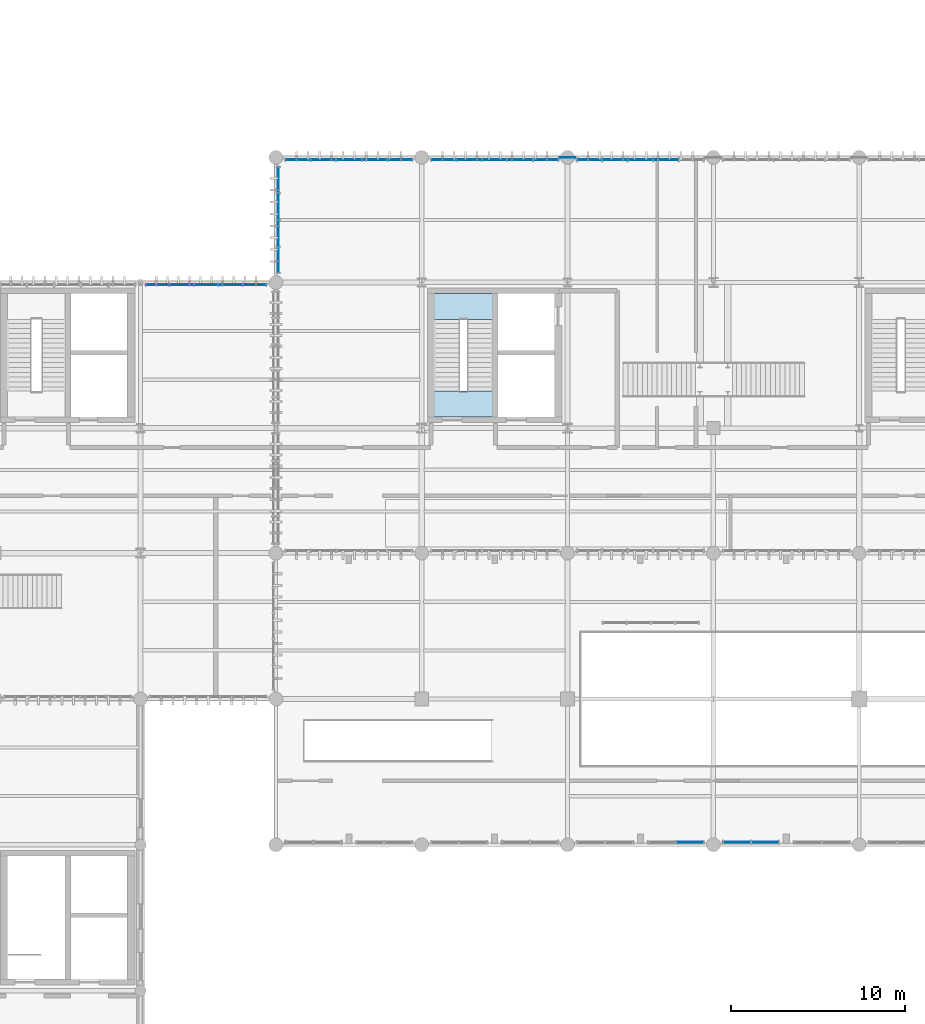
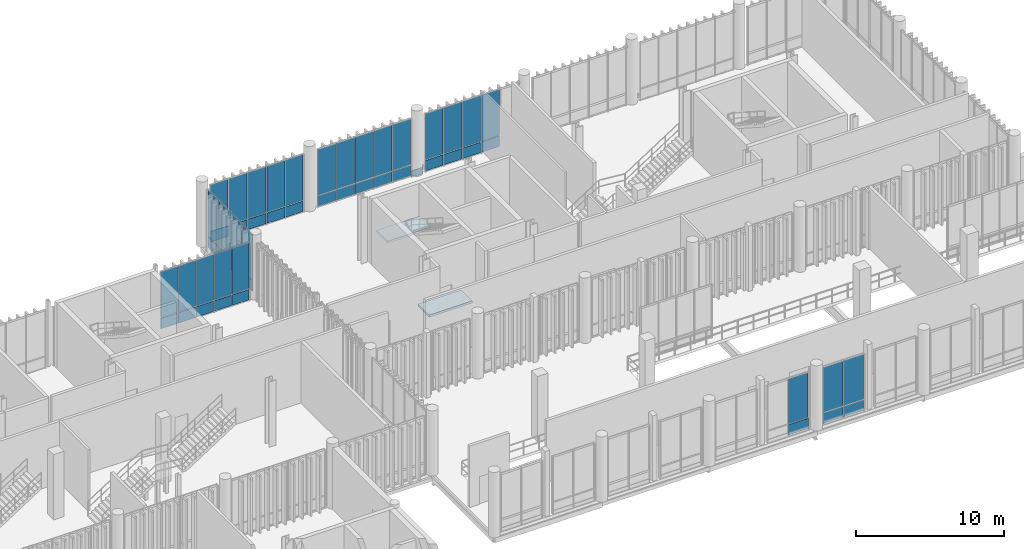
# One storey, part 97 of 128: 53 plates, 2 slabs, 8 elements without a shape of their own.
"""IFC4 building model written with IfcOpenShell, lengths in metres."""

from ifc_helpers import new_model, si_unit, direction, frame, frame_2d, origin_with_axes, origin_2d_with_axis, place, context, subcontext, project, spatial, polyline, rectangle, outline, extrude, material, layer, layer_set, type_object, element, aggregate, save


model = new_model("IFC4")

# Units and contexts
model_context = context("Model", 3, precision=1e-05, world=origin_with_axes(), true_north=direction((0.0, 1.0)))
body_context = subcontext(model_context, "Body", "Model", "MODEL_VIEW")
ifc_project = project(units=[si_unit("LENGTHUNIT", "METRE"), si_unit("AREAUNIT", "SQUARE_METRE"), si_unit("VOLUMEUNIT", "CUBIC_METRE"), si_unit("PLANEANGLEUNIT", "RADIAN"), si_unit("MASSUNIT", "GRAM", prefix="KILO"), si_unit("THERMODYNAMICTEMPERATUREUNIT", "KELVIN")], contexts=[model_context])

# Site, building, storey
site_placement = place(None, origin_with_axes())
site = spatial("IfcSite", under=ifc_project, at=site_placement, CompositionType="ELEMENT")
building_placement = place(site_placement, origin_with_axes())
building = spatial("IfcBuilding", under=site, at=building_placement, Name="Montbau Bow Law Courts", CompositionType="ELEMENT")
storey_placement = place(building_placement, frame((0.0, 0.0, 5.4), z_axis=(0.0, 0.0, 1.0), x_axis=(1.0, 0.0, 0.0)))
storey = spatial("IfcBuildingStorey", under=building, at=storey_placement, Name="L01", CompositionType="ELEMENT", Elevation=5.4)

# Curtain wall, plates
ifc_material_1 = material(Name="Thermally Broken Extruded Aluminium AA 6063-T6", Category="aluminium")
curtain_wall_type_1 = type_object("IfcCurtainWallType", Name="CW-TRC-01", PredefinedType="NOTDEFINED", material=ifc_material_1)
curtain_wall_1_placement = place(None, frame((39.268, 54.46, 5.4), z_axis=(0.0, 0.0, 1.0), x_axis=(1.0, 0.0, 0.0)))
curtain_wall_1 = element("IfcCurtainWall", 1, at=curtain_wall_1_placement, inside=storey, type_object=curtain_wall_type_1, Name="CW-L01-025:cw_0025", PredefinedType="NOTDEFINED")
ifc_material_2 = material(Name="Triple-Glazed Low-E Argon Insulating Glass Unit", Category="glass")
ifc_layer_1 = layer(ifc_material_2, 0.044, Name="Curtain Panel", Category="glass")
ifc_layer_set_1 = layer_set([ifc_layer_1], Name="Triple-Glazed Low-E Argon Insulating Glass Unit")
plate_type_1 = type_object("IfcPlateType", Name="PL-CWP-01", PredefinedType="CURTAIN_PANEL", material=ifc_layer_set_1)
plate_1_placement = place(None, frame((39.336, 54.46, 6.379), z_axis=(0.0, -1.0, 0.0), x_axis=(1.0, 0.0, 0.0)))
plate_1 = element("IfcPlate", 2, at=plate_1_placement, type_object=plate_type_1, Name="CW-L01-025-P01-2:cw_0025_P01_2", PredefinedType="CURTAIN_PANEL", context=body_context, shape_type="SweptSolid", body=[
    extrude(rectangle(XDim=1.301, YDim=3.784, at=frame_2d((0.6505, 1.892), x_axis=(1.0, 0.0))), frame((0.0, 0.0, -0.022), z_axis=(0.0, 0.0, 1.0), x_axis=(1.0, 0.0, 0.0)), (0.0, 0.0, 1.0), 0.044),
])
plate_2_placement = place(None, frame((40.706, 54.46, 6.379), z_axis=(0.0, -1.0, 0.0), x_axis=(1.0, 0.0, 0.0)))
plate_2 = element("IfcPlate", 3, at=plate_2_placement, type_object=plate_type_1, Name="CW-L01-025-P02-2:cw_0025_P02_2", PredefinedType="CURTAIN_PANEL", context=body_context, shape_type="SweptSolid", body=[
    extrude(rectangle(XDim=1.334, YDim=3.784, at=frame_2d((0.667, 1.892), x_axis=(1.0, 0.0))), frame((0.0, 0.0, -0.022), z_axis=(0.0, 0.0, 1.0), x_axis=(1.0, 0.0, 0.0)), (0.0, 0.0, 1.0), 0.044),
])
plate_3_placement = place(None, frame((42.109, 54.46, 6.379), z_axis=(0.0, -1.0, 0.0), x_axis=(1.0, 0.0, 0.0)))
plate_3 = element("IfcPlate", 4, at=plate_3_placement, type_object=plate_type_1, Name="CW-L01-025-P03-2:cw_0025_P03_2", PredefinedType="CURTAIN_PANEL", context=body_context, shape_type="SweptSolid", body=[
    extrude(rectangle(XDim=1.335, YDim=3.784, at=frame_2d((0.6675, 1.892), x_axis=(1.0, 0.0))), frame((0.0, 0.0, -0.022), z_axis=(0.0, 0.0, 1.0), x_axis=(1.0, 0.0, 0.0)), (0.0, 0.0, 1.0), 0.044),
])
plate_4_placement = place(None, frame((43.512, 54.46, 6.379), z_axis=(0.0, -1.0, 0.0), x_axis=(1.0, 0.0, 0.0)))
plate_4 = element("IfcPlate", 5, at=plate_4_placement, type_object=plate_type_1, Name="CW-L01-025-P04-2:cw_0025_P04_2", PredefinedType="CURTAIN_PANEL", context=body_context, shape_type="SweptSolid", body=[
    extrude(rectangle(XDim=1.336, YDim=3.784, at=frame_2d((0.668, 1.892), x_axis=(1.0, 0.0))), frame((0.0, 0.0, -0.022), z_axis=(0.0, 0.0, 1.0), x_axis=(1.0, 0.0, 0.0)), (0.0, 0.0, 1.0), 0.044),
])
plate_5_placement = place(None, frame((44.916, 54.46, 6.379), z_axis=(0.0, -1.0, 0.0), x_axis=(1.0, 0.0, 0.0)))
plate_5 = element("IfcPlate", 6, at=plate_5_placement, type_object=plate_type_1, Name="CW-L01-025-P05-2:cw_0025_P05_2", PredefinedType="CURTAIN_PANEL", context=body_context, shape_type="SweptSolid", body=[
    extrude(rectangle(XDim=1.302, YDim=3.784, at=frame_2d((0.651, 1.892), x_axis=(1.0, 0.0))), frame((0.0, 0.0, -0.022), z_axis=(0.0, 0.0, 1.0), x_axis=(1.0, 0.0, 0.0)), (0.0, 0.0, 1.0), 0.044),
])

curtain_wall_type_2 = type_object("IfcCurtainWallType", Name="CW-CRM-01", PredefinedType="NOTDEFINED", material=ifc_material_1)
curtain_wall_2_placement = place(None, frame((47.315, 61.66, 5.4), z_axis=(0.0, 0.0, 1.0), x_axis=(1.0, 0.0, 0.0)))
curtain_wall_2 = element("IfcCurtainWall", 7, at=curtain_wall_2_placement, inside=storey, type_object=curtain_wall_type_2, Name="CW-L01-145:cw_0145", PredefinedType="NOTDEFINED")
plate_6_placement = place(None, frame((47.383, 61.66, 6.379), z_axis=(0.0, -1.0, 0.0), x_axis=(1.0, 0.0, 0.0)))
plate_6 = element("IfcPlate", 8, at=plate_6_placement, type_object=plate_type_1, Name="CW-L01-145-P01-2:cw_0145_P01_2", PredefinedType="CURTAIN_PANEL", context=body_context, shape_type="SweptSolid", body=[
    extrude(rectangle(XDim=1.372, YDim=3.784, at=frame_2d((0.686, 1.892), x_axis=(1.0, 0.0))), frame((0.0, 0.0, -0.022), z_axis=(0.0, 0.0, 1.0), x_axis=(1.0, 0.0, 0.0)), (0.0, 0.0, 1.0), 0.044),
])
plate_7_placement = place(None, frame((48.823, 61.66, 6.379), z_axis=(0.0, -1.0, 0.0), x_axis=(1.0, 0.0, 0.0)))
plate_7 = element("IfcPlate", 9, at=plate_7_placement, type_object=plate_type_1, Name="CW-L01-145-P02-2:cw_0145_P02_2", PredefinedType="CURTAIN_PANEL", context=body_context, shape_type="SweptSolid", body=[
    extrude(rectangle(XDim=1.405, YDim=3.784, at=frame_2d((0.7025, 1.892), x_axis=(1.0, 0.0))), frame((0.0, 0.0, -0.022), z_axis=(0.0, 0.0, 1.0), x_axis=(1.0, 0.0, 0.0)), (0.0, 0.0, 1.0), 0.044),
])
plate_8_placement = place(None, frame((50.297, 61.66, 6.379), z_axis=(0.0, -1.0, 0.0), x_axis=(1.0, 0.0, 0.0)))
plate_8 = element("IfcPlate", 10, at=plate_8_placement, type_object=plate_type_1, Name="CW-L01-145-P03-2:cw_0145_P03_2", PredefinedType="CURTAIN_PANEL", context=body_context, shape_type="SweptSolid", body=[
    extrude(rectangle(XDim=1.406, YDim=3.784, at=frame_2d((0.703, 1.892), x_axis=(1.0, 0.0))), frame((0.0, 0.0, -0.022), z_axis=(0.0, 0.0, 1.0), x_axis=(1.0, 0.0, 0.0)), (0.0, 0.0, 1.0), 0.044),
])
plate_9_placement = place(None, frame((51.771, 61.66, 6.379), z_axis=(0.0, -1.0, 0.0), x_axis=(1.0, 0.0, 0.0)))
plate_9 = element("IfcPlate", 11, at=plate_9_placement, type_object=plate_type_1, Name="CW-L01-145-P04-2:cw_0145_P04_2", PredefinedType="CURTAIN_PANEL", context=body_context, shape_type="SweptSolid", body=[
    extrude(rectangle(XDim=1.406, YDim=3.784, at=frame_2d((0.703, 1.892), x_axis=(1.0, 0.0))), frame((0.0, 0.0, -0.022), z_axis=(0.0, 0.0, 1.0), x_axis=(1.0, 0.0, 0.0)), (0.0, 0.0, 1.0), 0.044),
])
plate_10_placement = place(None, frame((53.245, 61.66, 6.379), z_axis=(0.0, -1.0, 0.0), x_axis=(1.0, 0.0, 0.0)))
plate_10 = element("IfcPlate", 12, at=plate_10_placement, type_object=plate_type_1, Name="CW-L01-145-P05-2:cw_0145_P05_2", PredefinedType="CURTAIN_PANEL", context=body_context, shape_type="SweptSolid", body=[
    extrude(rectangle(XDim=1.374, YDim=3.784, at=frame_2d((0.687, 1.892), x_axis=(1.0, 0.0))), frame((0.0, 0.0, -0.022), z_axis=(0.0, 0.0, 1.0), x_axis=(1.0, 0.0, 0.0)), (0.0, 0.0, 1.0), 0.044),
])

curtain_wall_3_placement = place(None, frame((55.715, 61.66, 5.4), z_axis=(0.0, 0.0, 1.0), x_axis=(1.0, 0.0, 0.0)))
curtain_wall_3 = element("IfcCurtainWall", 13, at=curtain_wall_3_placement, inside=storey, type_object=curtain_wall_type_2, Name="CW-L01-146:cw_0146", PredefinedType="NOTDEFINED")
plate_11_placement = place(None, frame((55.777, 61.66, 6.382), z_axis=(0.0, -1.0, 0.0), x_axis=(1.0, 0.0, 0.0)))
plate_11 = element("IfcPlate", 14, at=plate_11_placement, type_object=plate_type_1, Name="CW-L01-146-P01-2:cw_0146_P01_2", PredefinedType="CURTAIN_PANEL", context=body_context, shape_type="SweptSolid", body=[
    extrude(rectangle(XDim=1.38, YDim=3.776, at=frame_2d((0.69, 1.888), x_axis=(1.0, 0.0))), frame((0.0, 0.0, -0.022), z_axis=(0.0, 0.0, 1.0), x_axis=(1.0, 0.0, 0.0)), (0.0, 0.0, 1.0), 0.044),
])
plate_12_placement = place(None, frame((57.221, 61.66, 6.382), z_axis=(0.0, -1.0, 0.0), x_axis=(1.0, 0.0, 0.0)))
plate_12 = element("IfcPlate", 15, at=plate_12_placement, type_object=plate_type_1, Name="CW-L01-146-P02-2:cw_0146_P02_2", PredefinedType="CURTAIN_PANEL", context=body_context, shape_type="SweptSolid", body=[
    extrude(rectangle(XDim=1.41, YDim=3.776, at=frame_2d((0.705, 1.888), x_axis=(1.0, 0.0))), frame((0.0, 0.0, -0.022), z_axis=(0.0, 0.0, 1.0), x_axis=(1.0, 0.0, 0.0)), (0.0, 0.0, 1.0), 0.044),
])
plate_13_placement = place(None, frame((58.695, 61.66, 6.382), z_axis=(0.0, -1.0, 0.0), x_axis=(1.0, 0.0, 0.0)))
plate_13 = element("IfcPlate", 16, at=plate_13_placement, type_object=plate_type_1, Name="CW-L01-146-P03-2:cw_0146_P03_2", PredefinedType="CURTAIN_PANEL", context=body_context, shape_type="SweptSolid", body=[
    extrude(rectangle(XDim=1.41, YDim=3.776, at=frame_2d((0.705, 1.888), x_axis=(1.0, 0.0))), frame((0.0, 0.0, -0.022), z_axis=(0.0, 0.0, 1.0), x_axis=(1.0, 0.0, 0.0)), (0.0, 0.0, 1.0), 0.044),
])
plate_14_placement = place(None, frame((60.169, 61.66, 6.382), z_axis=(0.0, -1.0, 0.0), x_axis=(1.0, 0.0, 0.0)))
plate_14 = element("IfcPlate", 17, at=plate_14_placement, type_object=plate_type_1, Name="CW-L01-146-P04-2:cw_0146_P04_2", PredefinedType="CURTAIN_PANEL", context=body_context, shape_type="SweptSolid", body=[
    extrude(rectangle(XDim=1.41, YDim=3.776, at=frame_2d((0.705, 1.888), x_axis=(1.0, 0.0))), frame((0.0, 0.0, -0.022), z_axis=(0.0, 0.0, 1.0), x_axis=(1.0, 0.0, 0.0)), (0.0, 0.0, 1.0), 0.044),
])
plate_15_placement = place(None, frame((61.643, 61.66, 6.382), z_axis=(0.0, -1.0, 0.0), x_axis=(1.0, 0.0, 0.0)))
plate_15 = element("IfcPlate", 18, at=plate_15_placement, type_object=plate_type_1, Name="CW-L01-146-P05-2:cw_0146_P05_2", PredefinedType="CURTAIN_PANEL", context=body_context, shape_type="SweptSolid", body=[
    extrude(rectangle(XDim=1.38, YDim=3.776, at=frame_2d((0.69, 1.888), x_axis=(1.0, 0.0))), frame((0.0, 0.0, -0.022), z_axis=(0.0, 0.0, 1.0), x_axis=(1.0, 0.0, 0.0)), (0.0, 0.0, 1.0), 0.044),
])

curtain_wall_4_placement = place(None, frame((64.115, 61.66, 5.4), z_axis=(0.0, 0.0, 1.0), x_axis=(1.0, 0.0, 0.0)))
curtain_wall_4 = element("IfcCurtainWall", 19, at=curtain_wall_4_placement, inside=storey, type_object=curtain_wall_type_2, Name="CW-L01-147:cw_0147", PredefinedType="NOTDEFINED")
plate_16_placement = place(None, frame((64.191, 61.66, 6.379), z_axis=(0.0, -1.0, 0.0), x_axis=(1.0, 0.0, 0.0)))
plate_16 = element("IfcPlate", 20, at=plate_16_placement, type_object=plate_type_1, Name="CW-L01-147-P01-2:cw_0147_P01_2", PredefinedType="CURTAIN_PANEL", context=body_context, shape_type="SweptSolid", body=[
    extrude(rectangle(XDim=1.358, YDim=3.784, at=frame_2d((0.679, 1.892), x_axis=(1.0, 0.0))), frame((0.0, 0.0, -0.022), z_axis=(0.0, 0.0, 1.0), x_axis=(1.0, 0.0, 0.0)), (0.0, 0.0, 1.0), 0.044),
])
plate_17_placement = place(None, frame((65.629, 61.66, 6.379), z_axis=(0.0, -1.0, 0.0), x_axis=(1.0, 0.0, 0.0)))
plate_17 = element("IfcPlate", 21, at=plate_17_placement, type_object=plate_type_1, Name="CW-L01-147-P02-2:cw_0147_P02_2", PredefinedType="CURTAIN_PANEL", context=body_context, shape_type="SweptSolid", body=[
    extrude(rectangle(XDim=1.395, YDim=3.784, at=frame_2d((0.6975, 1.892), x_axis=(1.0, 0.0))), frame((0.0, 0.0, -0.022), z_axis=(0.0, 0.0, 1.0), x_axis=(1.0, 0.0, 0.0)), (0.0, 0.0, 1.0), 0.044),
])
plate_18_placement = place(None, frame((67.102, 61.66, 6.379), z_axis=(0.0, -1.0, 0.0), x_axis=(1.0, 0.0, 0.0)))
plate_18 = element("IfcPlate", 22, at=plate_18_placement, type_object=plate_type_1, Name="CW-L01-147-P03-2:cw_0147_P03_2", PredefinedType="CURTAIN_PANEL", context=body_context, shape_type="SweptSolid", body=[
    extrude(rectangle(XDim=1.396, YDim=3.784, at=frame_2d((0.698, 1.892), x_axis=(1.0, 0.0))), frame((0.0, 0.0, -0.022), z_axis=(0.0, 0.0, 1.0), x_axis=(1.0, 0.0, 0.0)), (0.0, 0.0, 1.0), 0.044),
])
plate_19_placement = place(None, frame((68.576, 61.66, 6.379), z_axis=(0.0, -1.0, 0.0), x_axis=(1.0, 0.0, 0.0)))
plate_19 = element("IfcPlate", 23, at=plate_19_placement, type_object=plate_type_1, Name="CW-L01-147-P04-2:cw_0147_P04_2", PredefinedType="CURTAIN_PANEL", context=body_context, shape_type="SweptSolid", body=[
    extrude(rectangle(XDim=1.396, YDim=3.784, at=frame_2d((0.698, 1.892), x_axis=(1.0, 0.0))), frame((0.0, 0.0, -0.022), z_axis=(0.0, 0.0, 1.0), x_axis=(1.0, 0.0, 0.0)), (0.0, 0.0, 1.0), 0.044),
])

curtain_wall_5_placement = place(None, frame((46.94, 55.115, 5.4), z_axis=(0.0, 0.0, 1.0), x_axis=(1.0, 0.0, 0.0)))
curtain_wall_5 = element("IfcCurtainWall", 24, at=curtain_wall_5_placement, inside=storey, type_object=curtain_wall_type_2, Name="CW-L01-153:cw_0153", PredefinedType="NOTDEFINED")
plate_20_placement = place(None, frame((46.94, 55.191, 6.379), z_axis=(1.0, 0.0, 0.0), x_axis=(0.0, 1.0, 0.0)))
plate_20 = element("IfcPlate", 25, at=plate_20_placement, type_object=plate_type_1, Name="CW-L01-153-P01-2:cw_0153_P01_2", PredefinedType="CURTAIN_PANEL", context=body_context, shape_type="SweptSolid", body=[
    extrude(rectangle(XDim=1.426, YDim=3.784, at=frame_2d((0.713, 1.892), x_axis=(1.0, 0.0))), frame((0.0, 0.0, -0.022), z_axis=(0.0, 0.0, 1.0), x_axis=(1.0, 0.0, 0.0)), (0.0, 0.0, 1.0), 0.044),
])
plate_21_placement = place(None, frame((46.94, 56.697, 6.379), z_axis=(1.0, 0.0, 0.0), x_axis=(0.0, 1.0, 0.0)))
plate_21 = element("IfcPlate", 26, at=plate_21_placement, type_object=plate_type_1, Name="CW-L01-153-P02-2:cw_0153_P02_2", PredefinedType="CURTAIN_PANEL", context=body_context, shape_type="SweptSolid", body=[
    extrude(rectangle(XDim=1.464, YDim=3.784, at=frame_2d((0.732, 1.892), x_axis=(1.0, 0.0))), frame((0.0, 0.0, -0.022), z_axis=(0.0, 0.0, 1.0), x_axis=(1.0, 0.0, 0.0)), (0.0, 0.0, 1.0), 0.044),
])
plate_22_placement = place(None, frame((46.94, 58.239, 6.379), z_axis=(1.0, 0.0, 0.0), x_axis=(0.0, 1.0, 0.0)))
plate_22 = element("IfcPlate", 27, at=plate_22_placement, type_object=plate_type_1, Name="CW-L01-153-P03-2:cw_0153_P03_2", PredefinedType="CURTAIN_PANEL", context=body_context, shape_type="SweptSolid", body=[
    extrude(rectangle(XDim=1.464, YDim=3.784, at=frame_2d((0.732, 1.892), x_axis=(1.0, 0.0))), frame((0.0, 0.0, -0.022), z_axis=(0.0, 0.0, 1.0), x_axis=(1.0, 0.0, 0.0)), (0.0, 0.0, 1.0), 0.044),
])
plate_23_placement = place(None, frame((46.94, 59.781, 6.379), z_axis=(1.0, 0.0, 0.0), x_axis=(0.0, 1.0, 0.0)))
plate_23 = element("IfcPlate", 28, at=plate_23_placement, type_object=plate_type_1, Name="CW-L01-153-P04-2:cw_0153_P04_2", PredefinedType="CURTAIN_PANEL", context=body_context, shape_type="SweptSolid", body=[
    extrude(rectangle(XDim=1.427, YDim=3.784, at=frame_2d((0.7135, 1.892), x_axis=(1.0, 0.0))), frame((0.0, 0.0, -0.022), z_axis=(0.0, 0.0, 1.0), x_axis=(1.0, 0.0, 0.0)), (0.0, 0.0, 1.0), 0.044),
])

# Plate
ifc_material_3 = material(Name="Insulated Ceramic-Frit Spandrel Glazing Unit", Category="glass")
ifc_layer_2 = layer(ifc_material_3, 0.056, Name="Curtain Panel", Category="glass")
ifc_layer_set_2 = layer_set([ifc_layer_2], Name="Insulated Ceramic-Frit Spandrel Glazing Unit")
plate_type_2 = type_object("IfcPlateType", Name="PL-CWP-02", PredefinedType="CURTAIN_PANEL", material=ifc_layer_set_2)
plate_24_placement = place(None, frame((39.336, 54.46, 5.457), z_axis=(0.0, -1.0, 0.0), x_axis=(1.0, 0.0, 0.0)))
plate_24 = element("IfcPlate", 29, at=plate_24_placement, type_object=plate_type_2, Name="CW-L01-025-P01-1:cw_0025_P01_1", PredefinedType="CURTAIN_PANEL", context=body_context, shape_type="SweptSolid", body=[
    extrude(rectangle(XDim=1.301, YDim=0.864, at=frame_2d((0.6505, 0.432), x_axis=(1.0, 0.0))), frame((0.0, 0.0, -0.028), z_axis=(0.0, 0.0, 1.0), x_axis=(1.0, 0.0, 0.0)), (0.0, 0.0, 1.0), 0.056),
])

plate_25_placement = place(None, frame((40.706, 54.46, 5.457), z_axis=(0.0, -1.0, 0.0), x_axis=(1.0, 0.0, 0.0)))
plate_25 = element("IfcPlate", 30, at=plate_25_placement, type_object=plate_type_2, Name="CW-L01-025-P02-1:cw_0025_P02_1", PredefinedType="CURTAIN_PANEL", context=body_context, shape_type="SweptSolid", body=[
    extrude(rectangle(XDim=1.334, YDim=0.864, at=frame_2d((0.667, 0.432), x_axis=(1.0, 0.0))), frame((0.0, 0.0, -0.028), z_axis=(0.0, 0.0, 1.0), x_axis=(1.0, 0.0, 0.0)), (0.0, 0.0, 1.0), 0.056),
])

plate_26_placement = place(None, frame((42.109, 54.46, 5.457), z_axis=(0.0, -1.0, 0.0), x_axis=(1.0, 0.0, 0.0)))
plate_26 = element("IfcPlate", 31, at=plate_26_placement, type_object=plate_type_2, Name="CW-L01-025-P03-1:cw_0025_P03_1", PredefinedType="CURTAIN_PANEL", context=body_context, shape_type="SweptSolid", body=[
    extrude(rectangle(XDim=1.335, YDim=0.864, at=frame_2d((0.6675, 0.432), x_axis=(1.0, 0.0))), frame((0.0, 0.0, -0.028), z_axis=(0.0, 0.0, 1.0), x_axis=(1.0, 0.0, 0.0)), (0.0, 0.0, 1.0), 0.056),
])

plate_27_placement = place(None, frame((43.512, 54.46, 5.457), z_axis=(0.0, -1.0, 0.0), x_axis=(1.0, 0.0, 0.0)))
plate_27 = element("IfcPlate", 32, at=plate_27_placement, type_object=plate_type_2, Name="CW-L01-025-P04-1:cw_0025_P04_1", PredefinedType="CURTAIN_PANEL", context=body_context, shape_type="SweptSolid", body=[
    extrude(rectangle(XDim=1.336, YDim=0.864, at=frame_2d((0.668, 0.432), x_axis=(1.0, 0.0))), frame((0.0, 0.0, -0.028), z_axis=(0.0, 0.0, 1.0), x_axis=(1.0, 0.0, 0.0)), (0.0, 0.0, 1.0), 0.056),
])

plate_28_placement = place(None, frame((44.916, 54.46, 5.457), z_axis=(0.0, -1.0, 0.0), x_axis=(1.0, 0.0, 0.0)))
plate_28 = element("IfcPlate", 33, at=plate_28_placement, type_object=plate_type_2, Name="CW-L01-025-P05-1:cw_0025_P05_1", PredefinedType="CURTAIN_PANEL", context=body_context, shape_type="SweptSolid", body=[
    extrude(rectangle(XDim=1.302, YDim=0.864, at=frame_2d((0.651, 0.432), x_axis=(1.0, 0.0))), frame((0.0, 0.0, -0.028), z_axis=(0.0, 0.0, 1.0), x_axis=(1.0, 0.0, 0.0)), (0.0, 0.0, 1.0), 0.056),
])

aggregate(curtain_wall_1, [plate_24, plate_1, plate_25, plate_2, plate_26, plate_3, plate_27, plate_4, plate_28, plate_5])

plate_29_placement = place(None, frame((47.383, 61.66, 5.457), z_axis=(0.0, -1.0, 0.0), x_axis=(1.0, 0.0, 0.0)))
plate_29 = element("IfcPlate", 34, at=plate_29_placement, type_object=plate_type_2, Name="CW-L01-145-P01-1:cw_0145_P01_1", PredefinedType="CURTAIN_PANEL", context=body_context, shape_type="SweptSolid", body=[
    extrude(rectangle(XDim=1.372, YDim=0.864, at=frame_2d((0.686, 0.432), x_axis=(1.0, 0.0))), frame((0.0, 0.0, -0.028), z_axis=(0.0, 0.0, 1.0), x_axis=(1.0, 0.0, 0.0)), (0.0, 0.0, 1.0), 0.056),
])

plate_30_placement = place(None, frame((48.823, 61.66, 5.457), z_axis=(0.0, -1.0, 0.0), x_axis=(1.0, 0.0, 0.0)))
plate_30 = element("IfcPlate", 35, at=plate_30_placement, type_object=plate_type_2, Name="CW-L01-145-P02-1:cw_0145_P02_1", PredefinedType="CURTAIN_PANEL", context=body_context, shape_type="SweptSolid", body=[
    extrude(rectangle(XDim=1.405, YDim=0.864, at=frame_2d((0.7025, 0.432), x_axis=(1.0, 0.0))), frame((0.0, 0.0, -0.028), z_axis=(0.0, 0.0, 1.0), x_axis=(1.0, 0.0, 0.0)), (0.0, 0.0, 1.0), 0.056),
])

plate_31_placement = place(None, frame((50.297, 61.66, 5.457), z_axis=(0.0, -1.0, 0.0), x_axis=(1.0, 0.0, 0.0)))
plate_31 = element("IfcPlate", 36, at=plate_31_placement, type_object=plate_type_2, Name="CW-L01-145-P03-1:cw_0145_P03_1", PredefinedType="CURTAIN_PANEL", context=body_context, shape_type="SweptSolid", body=[
    extrude(rectangle(XDim=1.406, YDim=0.864, at=frame_2d((0.703, 0.432), x_axis=(1.0, 0.0))), frame((0.0, 0.0, -0.028), z_axis=(0.0, 0.0, 1.0), x_axis=(1.0, 0.0, 0.0)), (0.0, 0.0, 1.0), 0.056),
])

plate_32_placement = place(None, frame((51.771, 61.66, 5.457), z_axis=(0.0, -1.0, 0.0), x_axis=(1.0, 0.0, 0.0)))
plate_32 = element("IfcPlate", 37, at=plate_32_placement, type_object=plate_type_2, Name="CW-L01-145-P04-1:cw_0145_P04_1", PredefinedType="CURTAIN_PANEL", context=body_context, shape_type="SweptSolid", body=[
    extrude(rectangle(XDim=1.406, YDim=0.864, at=frame_2d((0.703, 0.432), x_axis=(1.0, 0.0))), frame((0.0, 0.0, -0.028), z_axis=(0.0, 0.0, 1.0), x_axis=(1.0, 0.0, 0.0)), (0.0, 0.0, 1.0), 0.056),
])

plate_33_placement = place(None, frame((53.245, 61.66, 5.457), z_axis=(0.0, -1.0, 0.0), x_axis=(1.0, 0.0, 0.0)))
plate_33 = element("IfcPlate", 38, at=plate_33_placement, type_object=plate_type_2, Name="CW-L01-145-P05-1:cw_0145_P05_1", PredefinedType="CURTAIN_PANEL", context=body_context, shape_type="SweptSolid", body=[
    extrude(rectangle(XDim=1.374, YDim=0.864, at=frame_2d((0.687, 0.432), x_axis=(1.0, 0.0))), frame((0.0, 0.0, -0.028), z_axis=(0.0, 0.0, 1.0), x_axis=(1.0, 0.0, 0.0)), (0.0, 0.0, 1.0), 0.056),
])

aggregate(curtain_wall_2, [plate_29, plate_6, plate_30, plate_7, plate_31, plate_8, plate_32, plate_9, plate_33, plate_10])

plate_34_placement = place(None, frame((55.777, 61.66, 5.462), z_axis=(0.0, -1.0, 0.0), x_axis=(1.0, 0.0, 0.0)))
plate_34 = element("IfcPlate", 39, at=plate_34_placement, type_object=plate_type_2, Name="CW-L01-146-P01-1:cw_0146_P01_1", PredefinedType="CURTAIN_PANEL", context=body_context, shape_type="SweptSolid", body=[
    extrude(rectangle(XDim=1.38, YDim=0.856, at=frame_2d((0.69, 0.428), x_axis=(1.0, 0.0))), frame((0.0, 0.0, -0.028), z_axis=(0.0, 0.0, 1.0), x_axis=(1.0, 0.0, 0.0)), (0.0, 0.0, 1.0), 0.056),
])

plate_35_placement = place(None, frame((57.221, 61.66, 5.462), z_axis=(0.0, -1.0, 0.0), x_axis=(1.0, 0.0, 0.0)))
plate_35 = element("IfcPlate", 40, at=plate_35_placement, type_object=plate_type_2, Name="CW-L01-146-P02-1:cw_0146_P02_1", PredefinedType="CURTAIN_PANEL", context=body_context, shape_type="SweptSolid", body=[
    extrude(rectangle(XDim=1.41, YDim=0.856, at=frame_2d((0.705, 0.428), x_axis=(1.0, 0.0))), frame((0.0, 0.0, -0.028), z_axis=(0.0, 0.0, 1.0), x_axis=(1.0, 0.0, 0.0)), (0.0, 0.0, 1.0), 0.056),
])

plate_36_placement = place(None, frame((58.695, 61.66, 5.462), z_axis=(0.0, -1.0, 0.0), x_axis=(1.0, 0.0, 0.0)))
plate_36 = element("IfcPlate", 41, at=plate_36_placement, type_object=plate_type_2, Name="CW-L01-146-P03-1:cw_0146_P03_1", PredefinedType="CURTAIN_PANEL", context=body_context, shape_type="SweptSolid", body=[
    extrude(rectangle(XDim=1.41, YDim=0.856, at=frame_2d((0.705, 0.428), x_axis=(1.0, 0.0))), frame((0.0, 0.0, -0.028), z_axis=(0.0, 0.0, 1.0), x_axis=(1.0, 0.0, 0.0)), (0.0, 0.0, 1.0), 0.056),
])

plate_37_placement = place(None, frame((60.169, 61.66, 5.462), z_axis=(0.0, -1.0, 0.0), x_axis=(1.0, 0.0, 0.0)))
plate_37 = element("IfcPlate", 42, at=plate_37_placement, type_object=plate_type_2, Name="CW-L01-146-P04-1:cw_0146_P04_1", PredefinedType="CURTAIN_PANEL", context=body_context, shape_type="SweptSolid", body=[
    extrude(rectangle(XDim=1.41, YDim=0.856, at=frame_2d((0.705, 0.428), x_axis=(1.0, 0.0))), frame((0.0, 0.0, -0.028), z_axis=(0.0, 0.0, 1.0), x_axis=(1.0, 0.0, 0.0)), (0.0, 0.0, 1.0), 0.056),
])

plate_38_placement = place(None, frame((61.643, 61.66, 5.462), z_axis=(0.0, -1.0, 0.0), x_axis=(1.0, 0.0, 0.0)))
plate_38 = element("IfcPlate", 43, at=plate_38_placement, type_object=plate_type_2, Name="CW-L01-146-P05-1:cw_0146_P05_1", PredefinedType="CURTAIN_PANEL", context=body_context, shape_type="SweptSolid", body=[
    extrude(rectangle(XDim=1.38, YDim=0.856, at=frame_2d((0.69, 0.428), x_axis=(1.0, 0.0))), frame((0.0, 0.0, -0.028), z_axis=(0.0, 0.0, 1.0), x_axis=(1.0, 0.0, 0.0)), (0.0, 0.0, 1.0), 0.056),
])

aggregate(curtain_wall_3, [plate_34, plate_11, plate_35, plate_12, plate_36, plate_13, plate_37, plate_14, plate_38, plate_15])

plate_39_placement = place(None, frame((64.191, 61.66, 5.457), z_axis=(0.0, -1.0, 0.0), x_axis=(1.0, 0.0, 0.0)))
plate_39 = element("IfcPlate", 44, at=plate_39_placement, type_object=plate_type_2, Name="CW-L01-147-P01-1:cw_0147_P01_1", PredefinedType="CURTAIN_PANEL", context=body_context, shape_type="SweptSolid", body=[
    extrude(rectangle(XDim=1.358, YDim=0.864, at=frame_2d((0.679, 0.432), x_axis=(1.0, 0.0))), frame((0.0, 0.0, -0.028), z_axis=(0.0, 0.0, 1.0), x_axis=(1.0, 0.0, 0.0)), (0.0, 0.0, 1.0), 0.056),
])

plate_40_placement = place(None, frame((65.629, 61.66, 5.457), z_axis=(0.0, -1.0, 0.0), x_axis=(1.0, 0.0, 0.0)))
plate_40 = element("IfcPlate", 45, at=plate_40_placement, type_object=plate_type_2, Name="CW-L01-147-P02-1:cw_0147_P02_1", PredefinedType="CURTAIN_PANEL", context=body_context, shape_type="SweptSolid", body=[
    extrude(rectangle(XDim=1.395, YDim=0.864, at=frame_2d((0.6975, 0.432), x_axis=(1.0, 0.0))), frame((0.0, 0.0, -0.028), z_axis=(0.0, 0.0, 1.0), x_axis=(1.0, 0.0, 0.0)), (0.0, 0.0, 1.0), 0.056),
])

plate_41_placement = place(None, frame((67.102, 61.66, 5.457), z_axis=(0.0, -1.0, 0.0), x_axis=(1.0, 0.0, 0.0)))
plate_41 = element("IfcPlate", 46, at=plate_41_placement, type_object=plate_type_2, Name="CW-L01-147-P03-1:cw_0147_P03_1", PredefinedType="CURTAIN_PANEL", context=body_context, shape_type="SweptSolid", body=[
    extrude(rectangle(XDim=1.396, YDim=0.864, at=frame_2d((0.698, 0.432), x_axis=(1.0, 0.0))), frame((0.0, 0.0, -0.028), z_axis=(0.0, 0.0, 1.0), x_axis=(1.0, 0.0, 0.0)), (0.0, 0.0, 1.0), 0.056),
])

plate_42_placement = place(None, frame((68.576, 61.66, 5.457), z_axis=(0.0, -1.0, 0.0), x_axis=(1.0, 0.0, 0.0)))
plate_42 = element("IfcPlate", 47, at=plate_42_placement, type_object=plate_type_2, Name="CW-L01-147-P04-1:cw_0147_P04_1", PredefinedType="CURTAIN_PANEL", context=body_context, shape_type="SweptSolid", body=[
    extrude(rectangle(XDim=1.396, YDim=0.864, at=frame_2d((0.698, 0.432), x_axis=(1.0, 0.0))), frame((0.0, 0.0, -0.028), z_axis=(0.0, 0.0, 1.0), x_axis=(1.0, 0.0, 0.0)), (0.0, 0.0, 1.0), 0.056),
])

aggregate(curtain_wall_4, [plate_39, plate_16, plate_40, plate_17, plate_41, plate_18, plate_42, plate_19])

plate_43_placement = place(None, frame((46.94, 55.191, 5.457), z_axis=(1.0, 0.0, 0.0), x_axis=(0.0, 1.0, 0.0)))
plate_43 = element("IfcPlate", 48, at=plate_43_placement, type_object=plate_type_2, Name="CW-L01-153-P01-1:cw_0153_P01_1", PredefinedType="CURTAIN_PANEL", context=body_context, shape_type="SweptSolid", body=[
    extrude(rectangle(XDim=1.426, YDim=0.864, at=frame_2d((0.713, 0.432), x_axis=(1.0, 0.0))), frame((0.0, 0.0, -0.028), z_axis=(0.0, 0.0, 1.0), x_axis=(1.0, 0.0, 0.0)), (0.0, 0.0, 1.0), 0.056),
])

plate_44_placement = place(None, frame((46.94, 56.697, 5.457), z_axis=(1.0, 0.0, 0.0), x_axis=(0.0, 1.0, 0.0)))
plate_44 = element("IfcPlate", 49, at=plate_44_placement, type_object=plate_type_2, Name="CW-L01-153-P02-1:cw_0153_P02_1", PredefinedType="CURTAIN_PANEL", context=body_context, shape_type="SweptSolid", body=[
    extrude(rectangle(XDim=1.464, YDim=0.864, at=frame_2d((0.732, 0.432), x_axis=(1.0, 0.0))), frame((0.0, 0.0, -0.028), z_axis=(0.0, 0.0, 1.0), x_axis=(1.0, 0.0, 0.0)), (0.0, 0.0, 1.0), 0.056),
])

plate_45_placement = place(None, frame((46.94, 58.239, 5.457), z_axis=(1.0, 0.0, 0.0), x_axis=(0.0, 1.0, 0.0)))
plate_45 = element("IfcPlate", 50, at=plate_45_placement, type_object=plate_type_2, Name="CW-L01-153-P03-1:cw_0153_P03_1", PredefinedType="CURTAIN_PANEL", context=body_context, shape_type="SweptSolid", body=[
    extrude(rectangle(XDim=1.464, YDim=0.864, at=frame_2d((0.732, 0.432), x_axis=(1.0, 0.0))), frame((0.0, 0.0, -0.028), z_axis=(0.0, 0.0, 1.0), x_axis=(1.0, 0.0, 0.0)), (0.0, 0.0, 1.0), 0.056),
])

plate_46_placement = place(None, frame((46.94, 59.781, 5.457), z_axis=(1.0, 0.0, 0.0), x_axis=(0.0, 1.0, 0.0)))
plate_46 = element("IfcPlate", 51, at=plate_46_placement, type_object=plate_type_2, Name="CW-L01-153-P04-1:cw_0153_P04_1", PredefinedType="CURTAIN_PANEL", context=body_context, shape_type="SweptSolid", body=[
    extrude(rectangle(XDim=1.427, YDim=0.864, at=frame_2d((0.7135, 0.432), x_axis=(1.0, 0.0))), frame((0.0, 0.0, -0.028), z_axis=(0.0, 0.0, 1.0), x_axis=(1.0, 0.0, 0.0)), (0.0, 0.0, 1.0), 0.056),
])

aggregate(curtain_wall_5, [plate_43, plate_20, plate_44, plate_21, plate_45, plate_22, plate_46, plate_23])

# Curtain wall, plate
curtain_wall_type_3 = type_object("IfcCurtainWallType", Name="CW-WGC-01", PredefinedType="NOTDEFINED", material=ifc_material_1)
curtain_wall_6_placement = place(None, frame((68.19, 22.34, 5.4), z_axis=(0.0, 0.0, 1.0), x_axis=(1.0, 0.0, 0.0)))
curtain_wall_6 = element("IfcCurtainWall", 52, at=curtain_wall_6_placement, inside=storey, type_object=curtain_wall_type_3, Name="CW-L01-401:cw_0401", PredefinedType="NOTDEFINED")
plate_47_placement = place(None, frame((69.87, 22.34, 5.457), z_axis=(0.0, -1.0, 0.0), x_axis=(1.0, 0.0, 0.0)))
plate_47 = element("IfcPlate", 53, at=plate_47_placement, type_object=plate_type_2, Name="CW-L01-401-P02-1:cw_0401_P02_1", PredefinedType="CURTAIN_PANEL", context=body_context, shape_type="SweptSolid", body=[
    extrude(rectangle(XDim=1.553, YDim=0.864, at=frame_2d((0.7765, 0.432), x_axis=(1.0, 0.0))), frame((0.0, 0.0, -0.028), z_axis=(0.0, 0.0, 1.0), x_axis=(1.0, 0.0, 0.0)), (0.0, 0.0, 1.0), 0.056),
])

# Curtain wall, plates
curtain_wall_7_placement = place(None, frame((72.515, 22.34, 5.4), z_axis=(0.0, 0.0, 1.0), x_axis=(1.0, 0.0, 0.0)))
curtain_wall_7 = element("IfcCurtainWall", 54, at=curtain_wall_7_placement, inside=storey, type_object=curtain_wall_type_3, Name="CW-L01-402:cw_0402", PredefinedType="NOTDEFINED")
plate_48_placement = place(None, frame((72.591, 22.34, 5.462), z_axis=(0.0, -1.0, 0.0), x_axis=(1.0, 0.0, 0.0)))
plate_48 = element("IfcPlate", 55, at=plate_48_placement, type_object=plate_type_2, Name="CW-L01-402-P01-1:cw_0402_P01_1", PredefinedType="CURTAIN_PANEL", context=body_context, shape_type="SweptSolid", body=[
    extrude(rectangle(XDim=1.532, YDim=0.856, at=frame_2d((0.766, 0.428), x_axis=(1.0, 0.0))), frame((0.0, 0.0, -0.028), z_axis=(0.0, 0.0, 1.0), x_axis=(1.0, 0.0, 0.0)), (0.0, 0.0, 1.0), 0.056),
])
plate_49_placement = place(None, frame((74.203, 22.34, 5.462), z_axis=(0.0, -1.0, 0.0), x_axis=(1.0, 0.0, 0.0)))
plate_49 = element("IfcPlate", 56, at=plate_49_placement, type_object=plate_type_2, Name="CW-L01-402-P02-1:cw_0402_P02_1", PredefinedType="CURTAIN_PANEL", context=body_context, shape_type="SweptSolid", body=[
    extrude(rectangle(XDim=1.531, YDim=0.856, at=frame_2d((0.7655, 0.428), x_axis=(1.0, 0.0))), frame((0.0, 0.0, -0.028), z_axis=(0.0, 0.0, 1.0), x_axis=(1.0, 0.0, 0.0)), (0.0, 0.0, 1.0), 0.056),
])

# Plate
ifc_material_4 = material(Name="Triple-Glazed Winter-Garden Vision Unit", Category="glass")
ifc_layer_3 = layer(ifc_material_4, 0.036, Name="Curtain Panel", Category="glass")
ifc_layer_set_3 = layer_set([ifc_layer_3], Name="Triple-Glazed Winter-Garden Vision Unit")
plate_type_3 = type_object("IfcPlateType", Name="PL-CWP-03", PredefinedType="CURTAIN_PANEL", material=ifc_layer_set_3)
plate_50_placement = place(None, frame((69.87, 22.34, 6.379), z_axis=(0.0, -1.0, 0.0), x_axis=(1.0, 0.0, 0.0)))
plate_50 = element("IfcPlate", 57, at=plate_50_placement, type_object=plate_type_3, Name="CW-L01-401-P02-2:cw_0401_P02_2", PredefinedType="CURTAIN_PANEL", context=body_context, shape_type="SweptSolid", body=[
    extrude(rectangle(XDim=1.553, YDim=3.714, at=frame_2d((0.7765, 1.857), x_axis=(1.0, 0.0))), frame((0.0, 0.0, -0.018), z_axis=(0.0, 0.0, 1.0), x_axis=(1.0, 0.0, 0.0)), (0.0, 0.0, 1.0), 0.036),
])

aggregate(curtain_wall_6, [plate_47, plate_50])

plate_51_placement = place(None, frame((72.591, 22.34, 6.382), z_axis=(0.0, -1.0, 0.0), x_axis=(1.0, 0.0, 0.0)))
plate_51 = element("IfcPlate", 58, at=plate_51_placement, type_object=plate_type_3, Name="CW-L01-402-P01-2:cw_0402_P01_2", PredefinedType="CURTAIN_PANEL", context=body_context, shape_type="SweptSolid", body=[
    extrude(rectangle(XDim=1.532, YDim=3.706, at=frame_2d((0.766, 1.853), x_axis=(1.0, 0.0))), frame((0.0, 0.0, -0.018), z_axis=(0.0, 0.0, 1.0), x_axis=(1.0, 0.0, 0.0)), (0.0, 0.0, 1.0), 0.036),
])

plate_52_placement = place(None, frame((74.203, 22.34, 6.382), z_axis=(0.0, -1.0, 0.0), x_axis=(1.0, 0.0, 0.0)))
plate_52 = element("IfcPlate", 59, at=plate_52_placement, type_object=plate_type_3, Name="CW-L01-402-P02-2:cw_0402_P02_2", PredefinedType="CURTAIN_PANEL", context=body_context, shape_type="SweptSolid", body=[
    extrude(rectangle(XDim=1.531, YDim=3.706, at=frame_2d((0.7655, 1.853), x_axis=(1.0, 0.0))), frame((0.0, 0.0, -0.018), z_axis=(0.0, 0.0, 1.0), x_axis=(1.0, 0.0, 0.0)), (0.0, 0.0, 1.0), 0.036),
])

aggregate(curtain_wall_7, [plate_48, plate_51, plate_49, plate_52])

ifc_material_5 = material(Name="Steel CSA G40.21 Grade 350WT (350 MPa)", Category="steel")
ifc_layer_4 = layer(ifc_material_5, 0.032, Name="Gusset Plate", Category="steel")
ifc_layer_set_4 = layer_set([ifc_layer_4], Name="Steel CSA G40.21 Grade 350WT (350 MPa)")
plate_type_4 = type_object("IfcPlateType", Name="PL-GUS-01", PredefinedType="USERDEFINED", material=ifc_layer_set_4)
plate_53_placement = place(None, frame((63.6, 61.8, 5.17), z_axis=(0.0, 0.0, 1.0), x_axis=(1.0, 0.0, 0.0)))
element("IfcPlate", 60, at=plate_53_placement, inside=storey, type_object=plate_type_4, Name="BGP-L01-128:plt_0159", ObjectType="GUSSET_PLATE", PredefinedType="USERDEFINED", context=body_context, shape_type="SweptSolid", body=[
    extrude(rectangle(XDim=0.9, YDim=0.032, at=origin_2d_with_axis()), origin_with_axes(), (0.0, 0.0, 1.0), 0.56),
])

# Stair, slabs
ifc_material_6 = material(Name="Concrete CSA A23.1 f'c 40 MPa", Category="concrete")
stair_type = type_object("IfcStairType", Name="ST-PUB-1800", PredefinedType="HALF_TURN_STAIR", material=ifc_material_6)
stair_placement = place(None, frame((56.69, 48.3, 5.4), z_axis=(0.0, 0.0, 1.0), x_axis=(1.0, 0.0, 0.0)))
stair = element("IfcStair", 61, at=stair_placement, inside=storey, type_object=stair_type, Name="ST-P4-L01:str_0019", PredefinedType="HALF_TURN_STAIR")
ifc_layer_5 = layer(ifc_material_6, 0.18, Name="Landing", Category="concrete")
ifc_layer_set_5 = layer_set([ifc_layer_5], Name="Concrete CSA A23.1 f'c 40 MPa")
slab_type = type_object("IfcSlabType", Name="SL-LND-01", PredefinedType="LANDING", material=ifc_layer_set_5)
slab_1_placement = place(None, frame((0.0, 0.0, 5.22), z_axis=(0.0, 0.0, 1.0), x_axis=(1.0, 0.0, 0.0)))
slab_1 = element("IfcSlab", 62, at=slab_1_placement, type_object=slab_type, Name="ST-P4-L01-LB:str_0019_LB", PredefinedType="LANDING", context=body_context, shape_type="SweptSolid", body=[
    extrude(outline(polyline([(55.92, 46.84), (59.3, 46.84), (59.3, 48.34), (55.92, 48.34), (55.92, 46.84)])), origin_with_axes(), (0.0, 0.0, 1.0), 0.18),
])
slab_2_placement = place(None, frame((0.0, 0.0, 7.92), z_axis=(0.0, 0.0, 1.0), x_axis=(1.0, 0.0, 0.0)))
slab_2 = element("IfcSlab", 63, at=slab_2_placement, type_object=slab_type, Name="ST-P4-L01-LM:str_0019_LM", PredefinedType="LANDING", context=body_context, shape_type="SweptSolid", body=[
    extrude(outline(polyline([(55.92, 52.46), (59.3, 52.46), (59.3, 53.96), (55.92, 53.96), (55.92, 52.46)])), origin_with_axes(), (0.0, 0.0, 1.0), 0.18),
])
aggregate(stair, [slab_1, slab_2])

save(model, "model.ifc")
